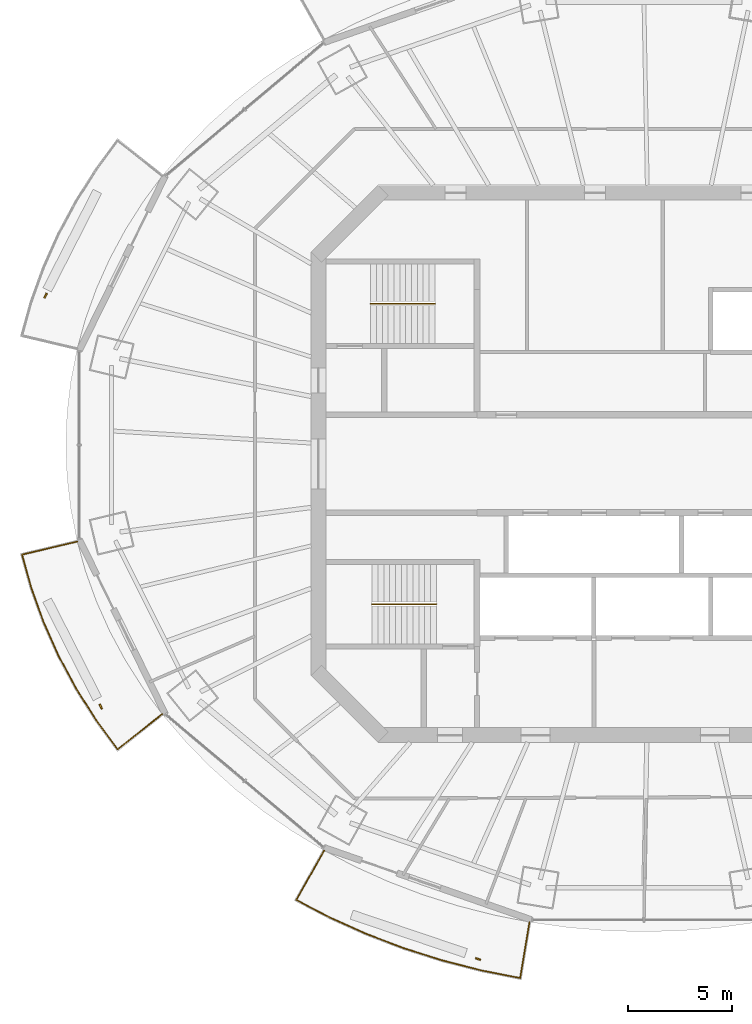
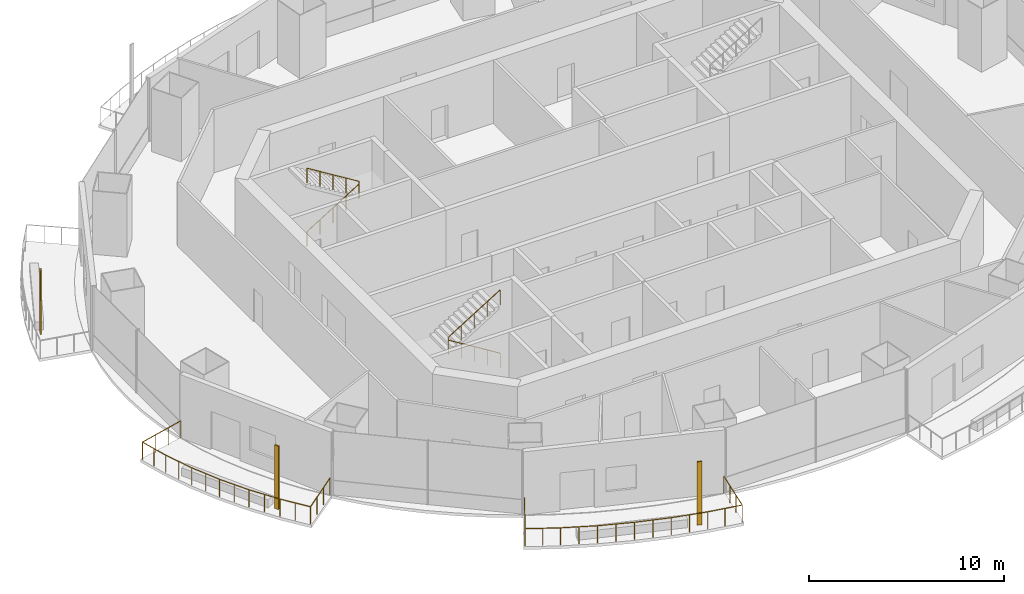
# One storey, part 12 of 16: 4 railings, 3 shading devices.
"""IFC4 building model written with IfcOpenShell, lengths in metres."""

from ifc_helpers import new_model, si_unit, direction, frame, origin, origin_2d, place, context, subcontext, project, spatial, rectangle, circle, extrude, material, material_profile, profile_set, type_object, element, save


model = new_model("IFC4")

# Units and contexts
model_context = context("Model", 3, precision=1e-05, world=origin(), true_north=direction((0.0, 1.0)))
body_context = subcontext(model_context, "Body", "Model", "MODEL_VIEW")
ifc_project = project(units=[si_unit("LENGTHUNIT", "METRE"), si_unit("AREAUNIT", "SQUARE_METRE"), si_unit("VOLUMEUNIT", "CUBIC_METRE"), si_unit("PLANEANGLEUNIT", "RADIAN"), si_unit("MASSUNIT", "GRAM", prefix="KILO")], contexts=[model_context])

# Site, building, storey
site_placement = place(None, origin())
site = spatial("IfcSite", under=ifc_project, at=site_placement, CompositionType="ELEMENT")
building_placement = place(site_placement, origin())
building = spatial("IfcBuilding", under=site, at=building_placement, Name="Marenthal Gate Tower", CompositionType="ELEMENT")
storey_placement = place(building_placement, frame((0.0, 0.0, 330.14990234375)))
storey = spatial("IfcBuildingStorey", under=building, at=storey_placement, Name="L74", CompositionType="ELEMENT", Elevation=330.14990234375)

# Railings
ifc_material_1 = material(Name="Stainless steel", Category="steel")
railing_type_1 = type_object("IfcRailingType", Name="Balcony guard 1100", PredefinedType="GUARDRAIL", material=ifc_material_1)
railing_1_placement = place(storey_placement, frame((-23.491455078125, -11.9970703125, 0.0)))
element("IfcRailing", 1, at=railing_1_placement, inside=storey, type_object=railing_type_1, Name="Balcony guard L74 bay 9", PredefinedType="GUARDRAIL", context=body_context, shape_type="SweptSolid", body=[
    extrude(circle(Radius=0.02392578125, at=origin_2d()), frame((0.0, 0.0, 1.076171875), z_axis=(-0.783448500282, -0.621284532354, -0.014627961689), x_axis=(0.621351013405, -0.783532333819, 0.0)), (0.0, 0.0, 1.0), 2.720458984375),
    extrude(circle(Radius=0.02392578125, at=origin_2d()), frame((-2.13134765625, -1.690185546875, 1.0361328125), z_axis=(-0.592690943458, 0.805429975568, 0.0), x_axis=(-0.805429975568, -0.592690943458, 0.0)), (0.0, 0.0, 1.0), 1.721435546875),
    extrude(circle(Radius=0.02392578125, at=origin_2d()), frame((-3.151611328125, -0.3037109375, 1.0361328125), z_axis=(-0.536035938593, 0.844195162588, 0.0), x_axis=(-0.844195162588, -0.536035938593, 0.0)), (0.0, 0.0, 1.0), 1.7880859375),
    extrude(circle(Radius=0.02392578125, at=origin_2d()), frame((-4.110107421875, 1.205810546875, 1.0361328125), z_axis=(-0.473944120716, 0.880554921875, 0.0), x_axis=(-0.880554921875, -0.473944120716, 0.0)), (0.0, 0.0, 1.0), 1.776611328125),
    extrude(circle(Radius=0.02392578125, at=origin_2d()), frame((-4.9521484375, 2.770263671875, 1.0361328125), z_axis=(-0.408087166089, 0.912942969124, 0.0), x_axis=(-0.912942969124, -0.408087166089, 0.0)), (0.0, 0.0, 1.0), 1.76611328125),
    extrude(circle(Radius=0.02392578125, at=origin_2d()), frame((-5.6728515625, 4.382568359375, 1.0361328125), z_axis=(-0.338940900894, 0.940807666689, 0.0), x_axis=(-0.940807666689, -0.338940900894, 0.0)), (0.0, 0.0, 1.0), 1.7568359375),
    extrude(circle(Radius=0.02392578125, at=origin_2d()), frame((-6.268310546875, 6.035400390625, 1.0361328125), z_axis=(-0.268631744924, 0.96324295254, 0.0), x_axis=(-0.96324295254, -0.268631744924, 0.0)), (0.0, 0.0, 1.0), 1.66943359375),
    extrude(circle(Radius=0.02392578125, at=origin_2d()), frame((-6.716796875, 7.6435546875, 1.0361328125), z_axis=(0.973158586038, 0.229670093302, 0.014629240019), x_axis=(-0.229694673631, 0.973262737859, 0.0)), (0.0, 0.0, 1.0), 2.72021484375),
    extrude(circle(Radius=0.02099609375, at=origin_2d()), origin(), (0.0, 0.0, 1.0), 1.052001953125),
    extrude(circle(Radius=0.02099609375, at=origin_2d()), frame((-0.71044921875, -0.5634765625, -0.01318359375)), (0.0, 0.0, 1.0), 1.052001953125),
    extrude(circle(Radius=0.02099609375, at=origin_2d()), frame((-1.4208984375, -1.126708984375, -0.026611328125)), (0.0, 0.0, 1.0), 1.052001953125),
    extrude(circle(Radius=0.02099609375, at=origin_2d()), frame((-2.13134765625, -1.690185546875, -0.039794921875)), (0.0, 0.0, 1.0), 1.052001953125),
    extrude(circle(Radius=0.02099609375, at=origin_2d()), frame((-2.6416015625, -0.9970703125, -0.039794921875)), (0.0, 0.0, 1.0), 1.052001953125),
    extrude(circle(Radius=0.02099609375, at=origin_2d()), frame((-3.151611328125, -0.3037109375, -0.039794921875)), (0.0, 0.0, 1.0), 1.052001953125),
    extrude(circle(Radius=0.02099609375, at=origin_2d()), frame((-3.630859375, 0.451171875, -0.039794921875)), (0.0, 0.0, 1.0), 1.052001953125),
    extrude(circle(Radius=0.02099609375, at=origin_2d()), frame((-4.110107421875, 1.205810546875, -0.039794921875)), (0.0, 0.0, 1.0), 1.052001953125),
    extrude(circle(Radius=0.02099609375, at=origin_2d()), frame((-4.53125, 1.988037109375, -0.039794921875)), (0.0, 0.0, 1.0), 1.052001953125),
    extrude(circle(Radius=0.02099609375, at=origin_2d()), frame((-4.9521484375, 2.770263671875, -0.039794921875)), (0.0, 0.0, 1.0), 1.052001953125),
    extrude(circle(Radius=0.02099609375, at=origin_2d()), frame((-5.3125, 3.576416015625, -0.039794921875)), (0.0, 0.0, 1.0), 1.052001953125),
    extrude(circle(Radius=0.02099609375, at=origin_2d()), frame((-5.6728515625, 4.382568359375, -0.039794921875)), (0.0, 0.0, 1.0), 1.052001953125),
    extrude(circle(Radius=0.02099609375, at=origin_2d()), frame((-5.970703125, 5.208984375, -0.039794921875)), (0.0, 0.0, 1.0), 1.052001953125),
    extrude(circle(Radius=0.02099609375, at=origin_2d()), frame((-6.268310546875, 6.035400390625, -0.039794921875)), (0.0, 0.0, 1.0), 1.052001953125),
    extrude(circle(Radius=0.02099609375, at=origin_2d()), frame((-6.49267578125, 6.83935546875, -0.039794921875)), (0.0, 0.0, 1.0), 1.052001953125),
    extrude(circle(Radius=0.02099609375, at=origin_2d()), frame((-6.716796875, 7.6435546875, -0.039794921875)), (0.0, 0.0, 1.0), 1.052001953125),
    extrude(circle(Radius=0.02099609375, at=origin_2d()), frame((-5.83447265625, 7.851806640625, -0.026611328125)), (0.0, 0.0, 1.0), 1.052001953125),
    extrude(circle(Radius=0.02099609375, at=origin_2d()), frame((-4.951904296875, 8.06005859375, -0.01318359375)), (0.0, 0.0, 1.0), 1.052001953125),
    extrude(circle(Radius=0.02099609375, at=origin_2d()), frame((-4.069580078125, 8.268310546875, 0.0)), (0.0, 0.0, 1.0), 1.052001953125),
])
railing_2_placement = place(storey_placement, frame((-5.88525390625, -21.965576171875, 0.0)))
element("IfcRailing", 2, at=railing_2_placement, inside=storey, type_object=railing_type_1, Name="Balcony guard L74 bay 11", PredefinedType="GUARDRAIL", context=body_context, shape_type="SweptSolid", body=[
    extrude(circle(Radius=0.02392578125, at=origin_2d()), frame((0.0, 0.0, 1.076171875), z_axis=(-0.165225448315, -0.986147325412, -0.014628869134), x_axis=(0.986252861995, -0.165243130591, 0.0)), (0.0, 0.0, 1.0), 2.72021484375),
    extrude(circle(Radius=0.02392578125, at=origin_2d()), frame((-0.449462890625, -2.6826171875, 1.0361328125), z_axis=(-0.981044354343, 0.193783319228, 0.0), x_axis=(-0.193783319228, -0.981044354343, 0.0)), (0.0, 0.0, 1.0), 1.8720703125),
    extrude(circle(Radius=0.02392578125, at=origin_2d()), frame((-2.2861328125, -2.31982421875, 1.0361328125), z_axis=(-0.968904264382, 0.247435903744, 0.0), x_axis=(-0.247435903744, -0.968904264382, 0.0)), (0.0, 0.0, 1.0), 1.94482421875),
    extrude(circle(Radius=0.02392578125, at=origin_2d()), frame((-4.17041015625, -1.838623046875, 1.0361328125), z_axis=(-0.953294423238, 0.302042617232, 0.0), x_axis=(-0.302042617232, -0.953294423238, 0.0)), (0.0, 0.0, 1.0), 1.935791015625),
    extrude(circle(Radius=0.02392578125, at=origin_2d()), frame((-6.015869140625, -1.25390625, 1.0361328125), z_axis=(-0.934345067438, 0.356369604419, 0.0), x_axis=(-0.356369604419, -0.934345067438, 0.0)), (0.0, 0.0, 1.0), 1.92578125),
    extrude(circle(Radius=0.02392578125, at=origin_2d()), frame((-7.815185546875, -0.567626953125, 1.0361328125), z_axis=(-0.911923891931, 0.410359373387, 0.0), x_axis=(-0.410359373387, -0.911923891931, 0.0)), (0.0, 0.0, 1.0), 1.913818359375),
    extrude(circle(Radius=0.02392578125, at=origin_2d()), frame((-9.560546875, 0.2177734375, 1.0361328125), z_axis=(-0.886546608419, 0.462639288324, 0.0), x_axis=(-0.462639288324, -0.886546608419, 0.0)), (0.0, 0.0, 1.0), 1.82177734375),
    extrude(circle(Radius=0.02392578125, at=origin_2d()), frame((-11.175537109375, 1.060546875, 1.0361328125), z_axis=(0.490566665054, 0.871280860656, 0.014629046177), x_axis=(-0.871374106592, 0.49061916632, 0.0)), (0.0, 0.0, 1.0), 2.72021484375),
    extrude(circle(Radius=0.02099609375, at=origin_2d()), origin(), (0.0, 0.0, 1.0), 1.052001953125),
    extrude(circle(Radius=0.02099609375, at=origin_2d()), frame((-0.14990234375, -0.894287109375, -0.01318359375)), (0.0, 0.0, 1.0), 1.052001953125),
    extrude(circle(Radius=0.02099609375, at=origin_2d()), frame((-0.299560546875, -1.788330078125, -0.026611328125)), (0.0, 0.0, 1.0), 1.052001953125),
    extrude(circle(Radius=0.02099609375, at=origin_2d()), frame((-0.449462890625, -2.6826171875, -0.039794921875)), (0.0, 0.0, 1.0), 1.052001953125),
    extrude(circle(Radius=0.02099609375, at=origin_2d()), frame((-1.36767578125, -2.501220703125, -0.039794921875)), (0.0, 0.0, 1.0), 1.052001953125),
    extrude(circle(Radius=0.02099609375, at=origin_2d()), frame((-2.2861328125, -2.31982421875, -0.039794921875)), (0.0, 0.0, 1.0), 1.052001953125),
    extrude(circle(Radius=0.02099609375, at=origin_2d()), frame((-3.228271484375, -2.0791015625, -0.039794921875)), (0.0, 0.0, 1.0), 1.052001953125),
    extrude(circle(Radius=0.02099609375, at=origin_2d()), frame((-4.17041015625, -1.838623046875, -0.039794921875)), (0.0, 0.0, 1.0), 1.052001953125),
    extrude(circle(Radius=0.02099609375, at=origin_2d()), frame((-5.09326171875, -1.54638671875, -0.039794921875)), (0.0, 0.0, 1.0), 1.052001953125),
    extrude(circle(Radius=0.02099609375, at=origin_2d()), frame((-6.015869140625, -1.25390625, -0.039794921875)), (0.0, 0.0, 1.0), 1.052001953125),
    extrude(circle(Radius=0.02099609375, at=origin_2d()), frame((-6.91552734375, -0.91064453125, -0.039794921875)), (0.0, 0.0, 1.0), 1.052001953125),
    extrude(circle(Radius=0.02099609375, at=origin_2d()), frame((-7.815185546875, -0.567626953125, -0.039794921875)), (0.0, 0.0, 1.0), 1.052001953125),
    extrude(circle(Radius=0.02099609375, at=origin_2d()), frame((-8.68798828125, -0.1748046875, -0.039794921875)), (0.0, 0.0, 1.0), 1.052001953125),
    extrude(circle(Radius=0.02099609375, at=origin_2d()), frame((-9.560546875, 0.2177734375, -0.039794921875)), (0.0, 0.0, 1.0), 1.052001953125),
    extrude(circle(Radius=0.02099609375, at=origin_2d()), frame((-10.3681640625, 0.63916015625, -0.039794921875)), (0.0, 0.0, 1.0), 1.052001953125),
    extrude(circle(Radius=0.02099609375, at=origin_2d()), frame((-11.175537109375, 1.060546875, -0.039794921875)), (0.0, 0.0, 1.0), 1.052001953125),
    extrude(circle(Radius=0.02099609375, at=origin_2d()), frame((-10.730712890625, 1.8505859375, -0.026611328125)), (0.0, 0.0, 1.0), 1.052001953125),
    extrude(circle(Radius=0.02099609375, at=origin_2d()), frame((-10.285888671875, 2.640625, -0.01318359375)), (0.0, 0.0, 1.0), 1.052001953125),
    extrude(circle(Radius=0.02099609375, at=origin_2d()), frame((-9.841064453125, 3.4306640625, 0.0)), (0.0, 0.0, 1.0), 1.052001953125),
])
ifc_material_2 = material(Name="Stainless steel", Category="steel")
railing_type_2 = type_object("IfcRailingType", Name="Stair handrail", PredefinedType="HANDRAIL", material=ifc_material_2)
railing_3_placement = place(storey_placement, frame((-13.5, 7.675048828125, 0.173095703125)))
element("IfcRailing", 3, at=railing_3_placement, inside=storey, type_object=railing_type_2, Name="Handrail ST1", PredefinedType="HANDRAIL", context=body_context, shape_type="SweptSolid", body=[
    extrude(circle(Radius=0.0224609375, at=origin_2d()), frame((0.0, 0.0, 0.927490234375), z_axis=(0.850835241893, 0.0, 0.525432575268), x_axis=(0.0, 1.0, 0.0)), (0.0, 0.0, 1.0), 3.6201171875),
    extrude(circle(Radius=0.0224609375, at=origin_2d()), frame((3.080078125, 0.0, 2.82958984375), z_axis=(0.0, 0.0, 1.0), x_axis=(1.0, 0.0, 0.0)), (0.0, 0.0, 1.0), 0.1728515625),
    extrude(circle(Radius=0.0224609375, at=origin_2d()), frame((3.080078125, 0.0, 3.00244140625), z_axis=(-0.850835241893, 0.0, 0.525432575268), x_axis=(0.0, -1.0, 0.0)), (0.0, 0.0, 1.0), 3.6201171875),
    extrude(circle(Radius=0.02001953125, at=origin_2d()), origin(), (0.0, 0.0, 1.0), 0.905029296875),
    extrude(circle(Radius=0.02001953125, at=origin_2d()), frame((0.77001953125, 0.0, 0.4755859375)), (0.0, 0.0, 1.0), 0.905029296875),
    extrude(circle(Radius=0.02001953125, at=origin_2d()), frame((1.5400390625, 0.0, 0.951171875)), (0.0, 0.0, 1.0), 0.905029296875),
    extrude(circle(Radius=0.02001953125, at=origin_2d()), frame((2.31005859375, 0.0, 1.426513671875)), (0.0, 0.0, 1.0), 0.905029296875),
    extrude(circle(Radius=0.02001953125, at=origin_2d()), frame((3.080078125, 0.0, 1.902099609375)), (0.0, 0.0, 1.0), 0.905029296875),
    extrude(circle(Radius=0.02001953125, at=origin_2d()), frame((3.080078125, 0.0, 2.074951171875)), (0.0, 0.0, 1.0), 0.905029296875),
    extrude(circle(Radius=0.02001953125, at=origin_2d()), frame((2.31005859375, 0.0, 2.550537109375)), (0.0, 0.0, 1.0), 0.905029296875),
    extrude(circle(Radius=0.02001953125, at=origin_2d()), frame((1.5400390625, 0.0, 3.02587890625)), (0.0, 0.0, 1.0), 0.905029296875),
    extrude(circle(Radius=0.02001953125, at=origin_2d()), frame((0.77001953125, 0.0, 3.50146484375)), (0.0, 0.0, 1.0), 0.905029296875),
    extrude(circle(Radius=0.02001953125, at=origin_2d()), frame((0.0, 0.0, 3.97705078125)), (0.0, 0.0, 1.0), 0.905029296875),
])
railing_4_placement = place(storey_placement, frame((-10.35009765625, -6.72509765625, 0.173095703125)))
element("IfcRailing", 4, at=railing_4_placement, inside=storey, type_object=railing_type_2, Name="Handrail ST2", PredefinedType="HANDRAIL", context=body_context, shape_type="SweptSolid", body=[
    extrude(circle(Radius=0.0224609375, at=origin_2d()), frame((0.0, 0.0, 0.927490234375), z_axis=(-0.850816621229, 0.0, 0.525462726595), x_axis=(0.0, -1.0, 0.0)), (0.0, 0.0, 1.0), 3.619873046875),
    extrude(circle(Radius=0.0224609375, at=origin_2d()), frame((-3.079833984375, 0.0, 2.82958984375), z_axis=(0.0, 0.0, 1.0), x_axis=(1.0, 0.0, 0.0)), (0.0, 0.0, 1.0), 0.1728515625),
    extrude(circle(Radius=0.0224609375, at=origin_2d()), frame((-3.079833984375, 0.0, 3.00244140625), z_axis=(0.850816621229, 0.0, 0.525462726595), x_axis=(0.0, 1.0, 0.0)), (0.0, 0.0, 1.0), 3.619873046875),
    extrude(circle(Radius=0.02001953125, at=origin_2d()), origin(), (0.0, 0.0, 1.0), 0.905029296875),
    extrude(circle(Radius=0.02001953125, at=origin_2d()), frame((-0.77001953125, 0.0, 0.4755859375)), (0.0, 0.0, 1.0), 0.905029296875),
    extrude(circle(Radius=0.02001953125, at=origin_2d()), frame((-1.5400390625, 0.0, 0.951171875)), (0.0, 0.0, 1.0), 0.905029296875),
    extrude(circle(Radius=0.02001953125, at=origin_2d()), frame((-2.309814453125, 0.0, 1.426513671875)), (0.0, 0.0, 1.0), 0.905029296875),
    extrude(circle(Radius=0.02001953125, at=origin_2d()), frame((-3.079833984375, 0.0, 1.902099609375)), (0.0, 0.0, 1.0), 0.905029296875),
    extrude(circle(Radius=0.02001953125, at=origin_2d()), frame((-3.079833984375, 0.0, 2.074951171875)), (0.0, 0.0, 1.0), 0.905029296875),
    extrude(circle(Radius=0.02001953125, at=origin_2d()), frame((-2.309814453125, 0.0, 2.550537109375)), (0.0, 0.0, 1.0), 0.905029296875),
    extrude(circle(Radius=0.02001953125, at=origin_2d()), frame((-1.5400390625, 0.0, 3.02587890625)), (0.0, 0.0, 1.0), 0.905029296875),
    extrude(circle(Radius=0.02001953125, at=origin_2d()), frame((-0.77001953125, 0.0, 3.50146484375)), (0.0, 0.0, 1.0), 0.905029296875),
    extrude(circle(Radius=0.02001953125, at=origin_2d()), frame((0.0, 0.0, 3.97705078125)), (0.0, 0.0, 1.0), 0.905029296875),
])

# Shading devices
ifc_material_3 = material(Name="Terracotta", Category="masonry")
ifc_material_profile = material_profile(ifc_material_3, rectangle(XDim=0.25, YDim=0.080078125, at=origin_2d()), Name="Terracotta baguette 250x80")
ifc_profile_set = profile_set([ifc_material_profile], Name="Terracotta")
shading_device_type = type_object("IfcShadingDeviceType", Name="Terracotta BAGUETTE SCREEN 250x80", PredefinedType="USERDEFINED", material=ifc_profile_set)
for number, where, z_axis, x_axis, name in (
    (5, (-29.077880859375, 8.063232421875, -0.039794921875), (0.0, 0.0, 1.0), (-0.441395261574, -0.897312778834, 0.0), "Terracotta BAGUETTE L74 bay 7R"),
    (6, (-26.43359375, -11.638916015625, -0.039794921875), (0.0, 0.0, 1.0), (0.441395261574, -0.897312778834, 0.0), "Terracotta BAGUETTE L74 bay 9R"),
    (7, (-8.350341796875, -23.733154296875, -0.039794921875), (0.0, 0.0, 1.0), (0.944213856974, -0.329332950521, 0.0), "Terracotta BAGUETTE L74 bay 11R"),
):
    element("IfcShadingDevice", number, at=place(storey_placement, frame(where, z_axis=z_axis, x_axis=x_axis)), inside=storey, type_object=shading_device_type, Name=name, ObjectType="BAGUETTE SCREEN", PredefinedType="USERDEFINED", context=body_context, shape_type="SweptSolid", body=[
        extrude(rectangle(XDim=0.25, YDim=0.080078125, at=origin_2d()), origin(), (0.0, 0.0, 1.0), 3.969970703125),
    ])

save(model, "model.ifc")
